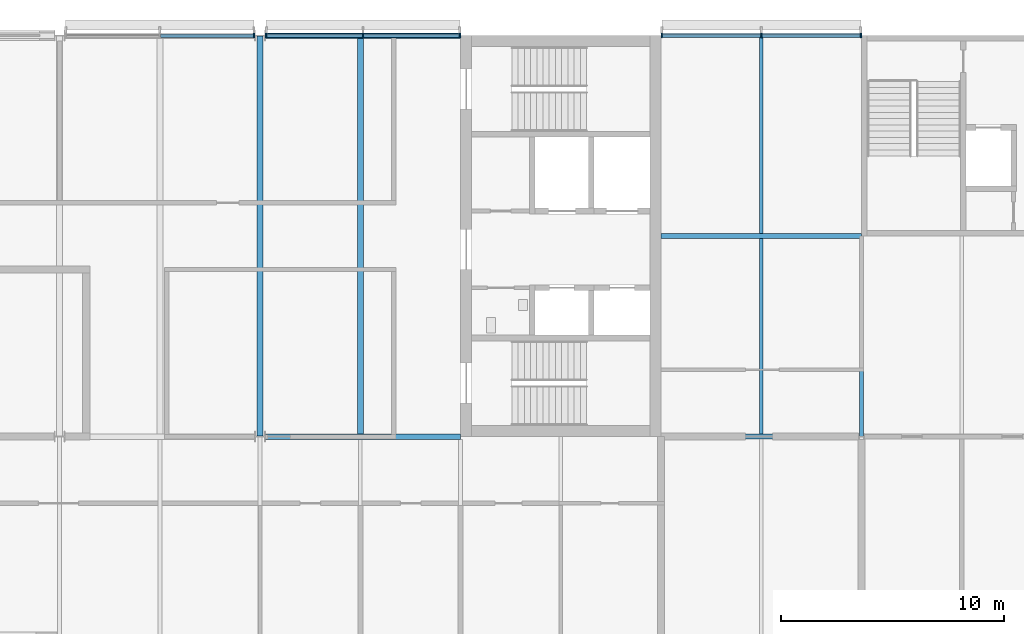
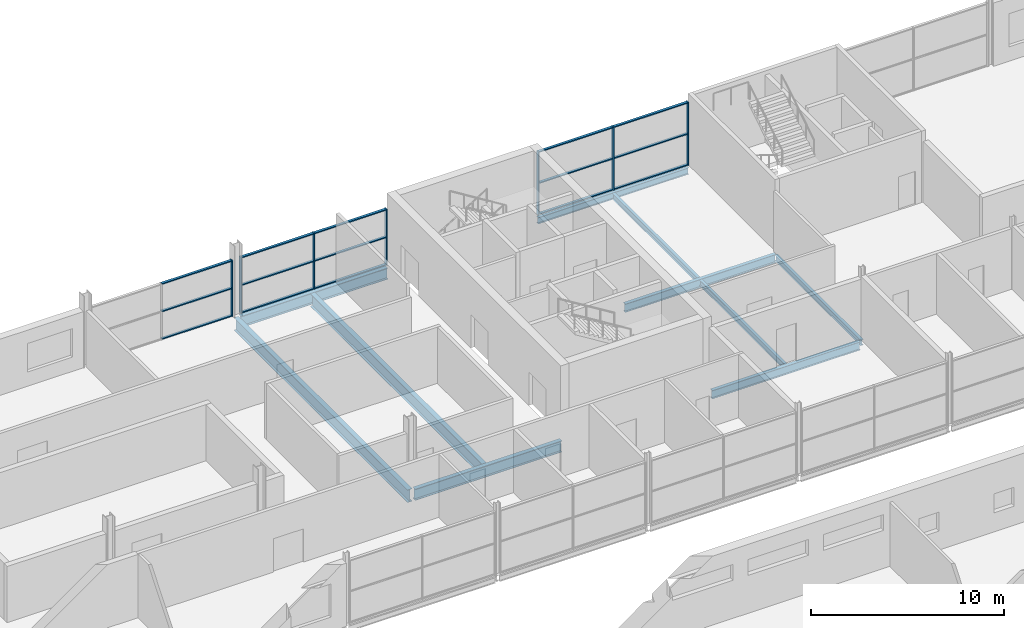
# One storey, part 65 of 138: 22 members, 10 beams, 3 elements without a shape of their own.
"""IFC4 building model written with IfcOpenShell, lengths in metres."""

from ifc_helpers import new_model, si_unit, direction, frame, origin, origin_2d, place, context, subcontext, project, spatial, rectangle, i_section, extrude, material, layer, layer_set, material_profile, profile_set, type_object, element, aggregate, save


model = new_model("IFC4")

# Units and contexts
model_context = context("Model", 3, precision=1e-05, world=origin(), true_north=direction((0.0, 1.0)))
body_context = subcontext(model_context, "Body", "Model", "MODEL_VIEW")
ifc_project = project(units=[si_unit("LENGTHUNIT", "METRE"), si_unit("AREAUNIT", "SQUARE_METRE"), si_unit("VOLUMEUNIT", "CUBIC_METRE"), si_unit("PLANEANGLEUNIT", "RADIAN"), si_unit("MASSUNIT", "GRAM", prefix="KILO")], contexts=[model_context])

# Site, building, storey
site_placement = place(None, origin())
site = spatial("IfcSite", under=ifc_project, at=site_placement, CompositionType="ELEMENT")
building_placement = place(site_placement, origin())
building = spatial("IfcBuilding", under=site, at=building_placement, Name="Corbel Yard City Hall", CompositionType="ELEMENT")
storey_placement = place(building_placement, frame((0.0, 0.0, 10.5)))
storey = spatial("IfcBuildingStorey", under=building, at=storey_placement, Name="L02", CompositionType="ELEMENT", Elevation=10.5)

# Beams
ifc_material_1 = material(Name="Steel Grade 300 (300 MPa yield)", Category="steel")
ifc_material_profile_1 = material_profile(ifc_material_1, i_section(OverallWidth=0.1708984375, OverallDepth=0.35595703125, WebThickness=0.00732421875, FlangeThickness=0.011474609375, at=origin_2d()), Name="360UB50.7")
ifc_profile_set_1 = profile_set([ifc_material_profile_1], Name="Steel Grade 300 (300 MPa yield)")
beam_type_1 = type_object("IfcBeamType", Name="Beam 360UB50.7", PredefinedType="BEAM", material=ifc_profile_set_1)
beam_1_placement = place(storey_placement, frame((63.0, 99.005859375, -0.327880859375), z_axis=(0.0, 1.0, 0.0), x_axis=(-1.0, 0.0, 0.0)))
element("IfcBeam", 1, at=beam_1_placement, inside=storey, type_object=beam_type_1, Name="Beam 360UB50.7 SB14 L02floor", PredefinedType="BEAM", context=body_context, shape_type="SweptSolid", body=[
    extrude(i_section(OverallWidth=0.1708984375, OverallDepth=0.35595703125, WebThickness=0.00732421875, FlangeThickness=0.011474609375, at=origin_2d()), origin(), (0.0, 0.0, 1.0), 8.8896484375),
])
ifc_material_profile_2 = material_profile(ifc_material_1, i_section(OverallWidth=0.177978515625, OverallDepth=0.403076171875, WebThickness=0.007568359375, FlangeThickness=0.010986328125, at=origin_2d()), Name="410UB53.7")
ifc_profile_set_2 = profile_set([ifc_material_profile_2], Name="Steel Grade 300 (300 MPa yield)")
beam_type_2 = type_object("IfcBeamType", Name="Edge beam 410UB53.7", PredefinedType="BEAM", material=ifc_profile_set_2)
beam_2_placement = place(storey_placement, frame((54.0, 117.0, -0.3515625), z_axis=(1.0, 0.0, 0.0), x_axis=(0.0, 1.0, 0.0)))
element("IfcBeam", 2, at=beam_2_placement, inside=storey, type_object=beam_type_2, Name="Edge beam 410UB53.7 EB6 L02floor", PredefinedType="BEAM", context=body_context, shape_type="SweptSolid", body=[
    extrude(i_section(OverallWidth=0.177978515625, OverallDepth=0.403076171875, WebThickness=0.007568359375, FlangeThickness=0.010986328125, at=origin_2d()), origin(), (0.0, 0.0, 1.0), 9.0),
])
ifc_material_2 = material(Name="Steel Grade 350", Category="steel")
ifc_material_profile_3 = material_profile(ifc_material_2, i_section(OverallWidth=0.25, OverallDepth=0.7099609375, WebThickness=0.010009765625, FlangeThickness=0.02490234375, at=origin_2d()), Name="700WB150")
ifc_profile_set_3 = profile_set([ifc_material_profile_3], Name="Steel Grade 350")
beam_type_3 = type_object("IfcBeamType", Name="Edge beam 700WB150", PredefinedType="BEAM", material=ifc_profile_set_3)
beam_3_placement = place(storey_placement, frame((36.239990234375, 117.0, -0.5048828125), z_axis=(1.0, 0.0, 0.0), x_axis=(0.0, 1.0, 0.0)))
element("IfcBeam", 3, at=beam_3_placement, inside=storey, type_object=beam_type_3, Name="Edge beam 700WB150 EB5 L02floor", PredefinedType="BEAM", context=body_context, shape_type="SweptSolid", body=[
    extrude(i_section(OverallWidth=0.25, OverallDepth=0.7099609375, WebThickness=0.010009765625, FlangeThickness=0.02490234375, at=origin_2d()), origin(), (0.0, 0.0, 1.0), 8.760009765625),
])
ifc_material_profile_4 = material_profile(ifc_material_1, i_section(OverallWidth=0.208984375, OverallDepth=0.528076171875, WebThickness=0.009521484375, FlangeThickness=0.01318359375, at=origin_2d()), Name="530UB82.0")
ifc_profile_set_4 = profile_set([ifc_material_profile_4], Name="Steel Grade 300 (300 MPa yield)")
beam_type_4 = type_object("IfcBeamType", Name="Girder 530UB82.0", PredefinedType="BEAM", material=ifc_profile_set_4)
beam_4_placement = place(storey_placement, frame((54.0, 99.0, -0.4140625), z_axis=(1.0, 0.0, 0.0), x_axis=(0.0, 1.0, 0.0)))
element("IfcBeam", 4, at=beam_4_placement, inside=storey, type_object=beam_type_4, Name="Girder 530UB82.0 GB3 L02floor", PredefinedType="BEAM", context=body_context, shape_type="SweptSolid", body=[
    extrude(i_section(OverallWidth=0.208984375, OverallDepth=0.528076171875, WebThickness=0.009521484375, FlangeThickness=0.01318359375, at=origin_2d()), origin(), (0.0, 0.0, 1.0), 8.842529296875),
])
beam_5_placement = place(storey_placement, frame((54.0, 108.0, -0.4140625), z_axis=(1.0, 0.0, 0.0), x_axis=(0.0, 1.0, 0.0)))
element("IfcBeam", 5, at=beam_5_placement, inside=storey, type_object=beam_type_4, Name="Girder 530UB82.0 GB3 L02floor", PredefinedType="BEAM", context=body_context, shape_type="SweptSolid", body=[
    extrude(i_section(OverallWidth=0.208984375, OverallDepth=0.528076171875, WebThickness=0.009521484375, FlangeThickness=0.01318359375, at=origin_2d()), origin(), (0.0, 0.0, 1.0), 9.0),
])
ifc_material_profile_5 = material_profile(ifc_material_2, i_section(OverallWidth=0.25, OverallDepth=0.7099609375, WebThickness=0.010009765625, FlangeThickness=0.02490234375, at=origin_2d()), Name="700WB150")
ifc_profile_set_5 = profile_set([ifc_material_profile_5], Name="Steel Grade 350")
beam_type_5 = type_object("IfcBeamType", Name="Girder 700WB150", PredefinedType="BEAM", material=ifc_profile_set_5)
beam_6_placement = place(storey_placement, frame((36.239990234375, 99.0, -0.5048828125), z_axis=(1.0, 0.0, 0.0), x_axis=(0.0, 1.0, 0.0)))
element("IfcBeam", 6, at=beam_6_placement, inside=storey, type_object=beam_type_5, Name="Girder 700WB150 GB5 L02floor", PredefinedType="BEAM", context=body_context, shape_type="SweptSolid", body=[
    extrude(i_section(OverallWidth=0.25, OverallDepth=0.7099609375, WebThickness=0.010009765625, FlangeThickness=0.02490234375, at=origin_2d()), origin(), (0.0, 0.0, 1.0), 8.760009765625),
])
ifc_material_profile_6 = material_profile(ifc_material_2, i_section(OverallWidth=0.27490234375, OverallDepth=0.800048828125, WebThickness=0.010009765625, FlangeThickness=0.02001953125, at=origin_2d()), Name="800WB146")
ifc_profile_set_6 = profile_set([ifc_material_profile_6], Name="Steel Grade 350")
beam_type_6 = type_object("IfcBeamType", Name="Long-span beam 800WB146", PredefinedType="BEAM", material=ifc_profile_set_6)
beam_7_placement = place(storey_placement, frame((36.0, 99.02001953125, -0.550048828125), z_axis=(0.0, 1.0, 0.0), x_axis=(-1.0, 0.0, 0.0)))
element("IfcBeam", 7, at=beam_7_placement, inside=storey, type_object=beam_type_6, Name="Long-span beam 800WB146 SB8 L02floor", PredefinedType="BEAM", context=body_context, shape_type="SweptSolid", body=[
    extrude(i_section(OverallWidth=0.27490234375, OverallDepth=0.800048828125, WebThickness=0.010009765625, FlangeThickness=0.02001953125, at=origin_2d()), origin(), (0.0, 0.0, 1.0), 17.9599609375),
])
ifc_material_profile_7 = material_profile(ifc_material_2, i_section(OverallWidth=0.27490234375, OverallDepth=0.800048828125, WebThickness=0.010009765625, FlangeThickness=0.02001953125, at=origin_2d()), Name="800WB146")
ifc_profile_set_7 = profile_set([ifc_material_profile_7], Name="Steel Grade 350")
beam_type_7 = type_object("IfcBeamType", Name="Long-span secondary beam 800WB146", PredefinedType="JOIST", material=ifc_profile_set_7)
beam_8_placement = place(storey_placement, frame((40.5, 99.125, -0.550048828125), z_axis=(0.0, 1.0, 0.0), x_axis=(-1.0, 0.0, 0.0)))
element("IfcBeam", 8, at=beam_8_placement, inside=storey, type_object=beam_type_7, Name="Long-span secondary beam 800WB146 SB7 L02floor", PredefinedType="JOIST", context=body_context, shape_type="SweptSolid", body=[
    extrude(i_section(OverallWidth=0.27490234375, OverallDepth=0.800048828125, WebThickness=0.010009765625, FlangeThickness=0.02001953125, at=origin_2d()), origin(), (0.0, 0.0, 1.0), 17.75),
])

# Curtain wall, member
ifc_material_3 = material(Name="Aluminium extrusion", Category="aluminium")
ifc_layer = layer(ifc_material_3, 0.199951171875)
ifc_layer_set = layer_set([ifc_layer], Name="Aluminium extrusion")
curtain_wall_type = type_object("IfcCurtainWallType", Name="CW1", PredefinedType="USERDEFINED", material=ifc_layer_set)
curtain_wall_1_placement = place(storey_placement, origin())
curtain_wall_1 = element("IfcCurtainWall", 9, at=curtain_wall_1_placement, inside=storey, type_object=curtain_wall_type, Name="Curtain wall CW1 L02", ObjectType="CURTAIN WALL", PredefinedType="USERDEFINED")
ifc_material_profile_8 = material_profile(ifc_material_3, rectangle(XDim=0.199951171875, YDim=0.06494140625, at=origin_2d()), Name="200x65")
ifc_profile_set_8 = profile_set([ifc_material_profile_8], Name="Aluminium extrusion")
member_type_1 = type_object("IfcMemberType", Name="ML1", PredefinedType="MULLION", material=ifc_profile_set_8)
member_1_placement = place(storey_placement, frame((35.7275390625, 117.0, 0.0), z_axis=(0.0, 0.0, 1.0), x_axis=(0.0, 1.0, 0.0)))
member_1 = element("IfcMember", 10, at=member_1_placement, type_object=member_type_1, Name="CW1 mullion 3", PredefinedType="MULLION", context=body_context, shape_type="SweptSolid", body=[
    extrude(rectangle(XDim=0.199951171875, YDim=0.06494140625, at=origin_2d()), origin(), (0.0, 0.0, 1.0), 3.5400390625),
])

# Curtain wall, members
curtain_wall_2_placement = place(storey_placement, origin())
curtain_wall_2 = element("IfcCurtainWall", 11, at=curtain_wall_2_placement, inside=storey, type_object=curtain_wall_type, Name="Curtain wall CW1 L02", ObjectType="CURTAIN WALL", PredefinedType="USERDEFINED")
member_2_placement = place(storey_placement, frame((36.2724609375, 117.0, 0.0), z_axis=(0.0, 0.0, 1.0), x_axis=(0.0, 1.0, 0.0)))
member_2 = element("IfcMember", 12, at=member_2_placement, type_object=member_type_1, Name="CW1 mullion 1", PredefinedType="MULLION", context=body_context, shape_type="SweptSolid", body=[
    extrude(rectangle(XDim=0.199951171875, YDim=0.06494140625, at=origin_2d()), origin(), (0.0, 0.0, 1.0), 3.5400390625),
])
member_3_placement = place(storey_placement, frame((40.6201171875, 117.0, 0.0), z_axis=(0.0, 0.0, 1.0), x_axis=(0.0, 1.0, 0.0)))
member_3 = element("IfcMember", 13, at=member_3_placement, type_object=member_type_1, Name="CW1 mullion 2", PredefinedType="MULLION", context=body_context, shape_type="SweptSolid", body=[
    extrude(rectangle(XDim=0.199951171875, YDim=0.06494140625, at=origin_2d()), origin(), (0.0, 0.0, 1.0), 3.5400390625),
])
member_4_placement = place(storey_placement, frame((44.967529296875, 117.0, 0.0), z_axis=(0.0, 0.0, 1.0), x_axis=(0.0, 1.0, 0.0)))
member_4 = element("IfcMember", 14, at=member_4_placement, type_object=member_type_1, Name="CW1 mullion 3", PredefinedType="MULLION", context=body_context, shape_type="SweptSolid", body=[
    extrude(rectangle(XDim=0.199951171875, YDim=0.06494140625, at=origin_2d()), origin(), (0.0, 0.0, 1.0), 3.5400390625),
])

curtain_wall_3_placement = place(storey_placement, origin())
curtain_wall_3 = element("IfcCurtainWall", 15, at=curtain_wall_3_placement, inside=storey, type_object=curtain_wall_type, Name="Curtain wall CW1 L02", ObjectType="CURTAIN WALL", PredefinedType="USERDEFINED")
member_5_placement = place(storey_placement, frame((54.032470703125, 117.0, 0.0), z_axis=(0.0, 0.0, 1.0), x_axis=(0.0, 1.0, 0.0)))
member_5 = element("IfcMember", 16, at=member_5_placement, type_object=member_type_1, Name="CW1 mullion 1", PredefinedType="MULLION", context=body_context, shape_type="SweptSolid", body=[
    extrude(rectangle(XDim=0.199951171875, YDim=0.06494140625, at=origin_2d()), origin(), (0.0, 0.0, 1.0), 3.990966796875),
])
member_6_placement = place(storey_placement, frame((58.5, 117.0, 0.0), z_axis=(0.0, 0.0, 1.0), x_axis=(0.0, 1.0, 0.0)))
member_6 = element("IfcMember", 17, at=member_6_placement, type_object=member_type_1, Name="CW1 mullion 2", PredefinedType="MULLION", context=body_context, shape_type="SweptSolid", body=[
    extrude(rectangle(XDim=0.199951171875, YDim=0.06494140625, at=origin_2d()), origin(), (0.0, 0.0, 1.0), 3.990966796875),
])
member_7_placement = place(storey_placement, frame((62.967529296875, 117.0, 0.0), z_axis=(0.0, 0.0, 1.0), x_axis=(0.0, 1.0, 0.0)))
member_7 = element("IfcMember", 18, at=member_7_placement, type_object=member_type_1, Name="CW1 mullion 3", PredefinedType="MULLION", context=body_context, shape_type="SweptSolid", body=[
    extrude(rectangle(XDim=0.199951171875, YDim=0.06494140625, at=origin_2d()), origin(), (0.0, 0.0, 1.0), 3.990966796875),
])

# Beams
ifc_material_profile_9 = material_profile(ifc_material_1, i_section(OverallWidth=0.1708984375, OverallDepth=0.35205078125, WebThickness=0.0068359375, FlangeThickness=0.009765625, at=origin_2d()), Name="360UB44.7")
ifc_profile_set_9 = profile_set([ifc_material_profile_9], Name="Steel Grade 300 (300 MPa yield)")
beam_type_8 = type_object("IfcBeamType", Name="Secondary beam 360UB44.7", PredefinedType="JOIST", material=ifc_profile_set_9)
beam_9_placement = place(storey_placement, frame((58.5, 99.1044921875, -0.325927734375), z_axis=(0.0, 1.0, 0.0), x_axis=(-1.0, 0.0, 0.0)))
element("IfcBeam", 19, at=beam_9_placement, inside=storey, type_object=beam_type_8, Name="Secondary beam 360UB44.7 SB11 L02floor", PredefinedType="JOIST", context=body_context, shape_type="SweptSolid", body=[
    extrude(i_section(OverallWidth=0.1708984375, OverallDepth=0.35205078125, WebThickness=0.0068359375, FlangeThickness=0.009765625, at=origin_2d()), origin(), (0.0, 0.0, 1.0), 8.791015625),
])
ifc_material_profile_10 = material_profile(ifc_material_1, i_section(OverallWidth=0.1708984375, OverallDepth=0.35595703125, WebThickness=0.00732421875, FlangeThickness=0.011474609375, at=origin_2d()), Name="360UB50.7")
ifc_profile_set_10 = profile_set([ifc_material_profile_10], Name="Steel Grade 300 (300 MPa yield)")
beam_type_9 = type_object("IfcBeamType", Name="Secondary beam 360UB50.7", PredefinedType="JOIST", material=ifc_profile_set_10)
beam_10_placement = place(storey_placement, frame((58.5, 108.1044921875, -0.327880859375), z_axis=(0.0, 1.0, 0.0), x_axis=(-1.0, 0.0, 0.0)))
element("IfcBeam", 20, at=beam_10_placement, inside=storey, type_object=beam_type_9, Name="Secondary beam 360UB50.7 SB10 L02floor", PredefinedType="JOIST", context=body_context, shape_type="SweptSolid", body=[
    extrude(i_section(OverallWidth=0.1708984375, OverallDepth=0.35595703125, WebThickness=0.00732421875, FlangeThickness=0.011474609375, at=origin_2d()), origin(), (0.0, 0.0, 1.0), 8.806396484375),
])

# Member
ifc_material_profile_11 = material_profile(ifc_material_3, rectangle(XDim=0.14990234375, YDim=0.06494140625, at=origin_2d()), Name="150x65")
ifc_profile_set_11 = profile_set([ifc_material_profile_11], Name="Aluminium extrusion")
member_type_2 = type_object("IfcMemberType", Name="TR1", PredefinedType="USERDEFINED", material=ifc_profile_set_11)
member_8_placement = place(storey_placement, frame((31.532470703125, 117.0, 0.032470703125), z_axis=(1.0, 0.0, 0.0), x_axis=(0.0, 1.0, 0.0)))
member_8 = element("IfcMember", 21, at=member_8_placement, type_object=member_type_2, Name="CW1 transom 2.1", ObjectType="TRANSOM", PredefinedType="USERDEFINED", context=body_context, shape_type="SweptSolid", body=[
    extrude(rectangle(XDim=0.14990234375, YDim=0.06494140625, at=origin_2d()), origin(), (0.0, 0.0, 1.0), 4.16259765625),
])

member_9_placement = place(storey_placement, frame((31.532470703125, 117.0, 1.77001953125), z_axis=(1.0, 0.0, 0.0), x_axis=(0.0, 1.0, 0.0)))
member_9 = element("IfcMember", 22, at=member_9_placement, type_object=member_type_2, Name="CW1 transom 2.2", ObjectType="TRANSOM", PredefinedType="USERDEFINED", context=body_context, shape_type="SweptSolid", body=[
    extrude(rectangle(XDim=0.14990234375, YDim=0.06494140625, at=origin_2d()), origin(), (0.0, 0.0, 1.0), 4.16259765625),
])

member_10_placement = place(storey_placement, frame((31.532470703125, 117.0, 3.507568359375), z_axis=(1.0, 0.0, 0.0), x_axis=(0.0, 1.0, 0.0)))
member_10 = element("IfcMember", 23, at=member_10_placement, type_object=member_type_2, Name="CW1 transom 2.3", ObjectType="TRANSOM", PredefinedType="USERDEFINED", context=body_context, shape_type="SweptSolid", body=[
    extrude(rectangle(XDim=0.14990234375, YDim=0.06494140625, at=origin_2d()), origin(), (0.0, 0.0, 1.0), 4.16259765625),
])

aggregate(curtain_wall_1, [member_1, member_8, member_9, member_10])

member_11_placement = place(storey_placement, frame((36.304931640625, 117.0, 0.032470703125), z_axis=(1.0, 0.0, 0.0), x_axis=(0.0, 1.0, 0.0)))
member_11 = element("IfcMember", 24, at=member_11_placement, type_object=member_type_2, Name="CW1 transom 1.1", ObjectType="TRANSOM", PredefinedType="USERDEFINED", context=body_context, shape_type="SweptSolid", body=[
    extrude(rectangle(XDim=0.14990234375, YDim=0.06494140625, at=origin_2d()), origin(), (0.0, 0.0, 1.0), 4.282470703125),
])

member_12_placement = place(storey_placement, frame((36.304931640625, 117.0, 1.77001953125), z_axis=(1.0, 0.0, 0.0), x_axis=(0.0, 1.0, 0.0)))
member_12 = element("IfcMember", 25, at=member_12_placement, type_object=member_type_2, Name="CW1 transom 1.2", ObjectType="TRANSOM", PredefinedType="USERDEFINED", context=body_context, shape_type="SweptSolid", body=[
    extrude(rectangle(XDim=0.14990234375, YDim=0.06494140625, at=origin_2d()), origin(), (0.0, 0.0, 1.0), 4.282470703125),
])

member_13_placement = place(storey_placement, frame((36.304931640625, 117.0, 3.507568359375), z_axis=(1.0, 0.0, 0.0), x_axis=(0.0, 1.0, 0.0)))
member_13 = element("IfcMember", 26, at=member_13_placement, type_object=member_type_2, Name="CW1 transom 1.3", ObjectType="TRANSOM", PredefinedType="USERDEFINED", context=body_context, shape_type="SweptSolid", body=[
    extrude(rectangle(XDim=0.14990234375, YDim=0.06494140625, at=origin_2d()), origin(), (0.0, 0.0, 1.0), 4.282470703125),
])

member_14_placement = place(storey_placement, frame((40.652587890625, 117.0, 0.032470703125), z_axis=(1.0, 0.0, 0.0), x_axis=(0.0, 1.0, 0.0)))
member_14 = element("IfcMember", 27, at=member_14_placement, type_object=member_type_2, Name="CW1 transom 2.1", ObjectType="TRANSOM", PredefinedType="USERDEFINED", context=body_context, shape_type="SweptSolid", body=[
    extrude(rectangle(XDim=0.14990234375, YDim=0.06494140625, at=origin_2d()), origin(), (0.0, 0.0, 1.0), 4.282470703125),
])

member_15_placement = place(storey_placement, frame((40.652587890625, 117.0, 1.77001953125), z_axis=(1.0, 0.0, 0.0), x_axis=(0.0, 1.0, 0.0)))
member_15 = element("IfcMember", 28, at=member_15_placement, type_object=member_type_2, Name="CW1 transom 2.2", ObjectType="TRANSOM", PredefinedType="USERDEFINED", context=body_context, shape_type="SweptSolid", body=[
    extrude(rectangle(XDim=0.14990234375, YDim=0.06494140625, at=origin_2d()), origin(), (0.0, 0.0, 1.0), 4.282470703125),
])

member_16_placement = place(storey_placement, frame((40.652587890625, 117.0, 3.507568359375), z_axis=(1.0, 0.0, 0.0), x_axis=(0.0, 1.0, 0.0)))
member_16 = element("IfcMember", 29, at=member_16_placement, type_object=member_type_2, Name="CW1 transom 2.3", ObjectType="TRANSOM", PredefinedType="USERDEFINED", context=body_context, shape_type="SweptSolid", body=[
    extrude(rectangle(XDim=0.14990234375, YDim=0.06494140625, at=origin_2d()), origin(), (0.0, 0.0, 1.0), 4.282470703125),
])

aggregate(curtain_wall_2, [member_2, member_3, member_4, member_11, member_12, member_13, member_14, member_15, member_16])

member_17_placement = place(storey_placement, frame((54.06494140625, 117.0, 0.032470703125), z_axis=(1.0, 0.0, 0.0), x_axis=(0.0, 1.0, 0.0)))
member_17 = element("IfcMember", 30, at=member_17_placement, type_object=member_type_2, Name="CW1 transom 1.1", ObjectType="TRANSOM", PredefinedType="USERDEFINED", context=body_context, shape_type="SweptSolid", body=[
    extrude(rectangle(XDim=0.14990234375, YDim=0.06494140625, at=origin_2d()), origin(), (0.0, 0.0, 1.0), 4.402587890625),
])

member_18_placement = place(storey_placement, frame((54.06494140625, 117.0, 1.99560546875), z_axis=(1.0, 0.0, 0.0), x_axis=(0.0, 1.0, 0.0)))
member_18 = element("IfcMember", 31, at=member_18_placement, type_object=member_type_2, Name="CW1 transom 1.2", ObjectType="TRANSOM", PredefinedType="USERDEFINED", context=body_context, shape_type="SweptSolid", body=[
    extrude(rectangle(XDim=0.14990234375, YDim=0.06494140625, at=origin_2d()), origin(), (0.0, 0.0, 1.0), 4.402587890625),
])

member_19_placement = place(storey_placement, frame((54.06494140625, 117.0, 3.95849609375), z_axis=(1.0, 0.0, 0.0), x_axis=(0.0, 1.0, 0.0)))
member_19 = element("IfcMember", 32, at=member_19_placement, type_object=member_type_2, Name="CW1 transom 1.3", ObjectType="TRANSOM", PredefinedType="USERDEFINED", context=body_context, shape_type="SweptSolid", body=[
    extrude(rectangle(XDim=0.14990234375, YDim=0.06494140625, at=origin_2d()), origin(), (0.0, 0.0, 1.0), 4.402587890625),
])

member_20_placement = place(storey_placement, frame((58.532470703125, 117.0, 0.032470703125), z_axis=(1.0, 0.0, 0.0), x_axis=(0.0, 1.0, 0.0)))
member_20 = element("IfcMember", 33, at=member_20_placement, type_object=member_type_2, Name="CW1 transom 2.1", ObjectType="TRANSOM", PredefinedType="USERDEFINED", context=body_context, shape_type="SweptSolid", body=[
    extrude(rectangle(XDim=0.14990234375, YDim=0.06494140625, at=origin_2d()), origin(), (0.0, 0.0, 1.0), 4.402587890625),
])

member_21_placement = place(storey_placement, frame((58.532470703125, 117.0, 1.99560546875), z_axis=(1.0, 0.0, 0.0), x_axis=(0.0, 1.0, 0.0)))
member_21 = element("IfcMember", 34, at=member_21_placement, type_object=member_type_2, Name="CW1 transom 2.2", ObjectType="TRANSOM", PredefinedType="USERDEFINED", context=body_context, shape_type="SweptSolid", body=[
    extrude(rectangle(XDim=0.14990234375, YDim=0.06494140625, at=origin_2d()), origin(), (0.0, 0.0, 1.0), 4.402587890625),
])

member_22_placement = place(storey_placement, frame((58.532470703125, 117.0, 3.95849609375), z_axis=(1.0, 0.0, 0.0), x_axis=(0.0, 1.0, 0.0)))
member_22 = element("IfcMember", 35, at=member_22_placement, type_object=member_type_2, Name="CW1 transom 2.3", ObjectType="TRANSOM", PredefinedType="USERDEFINED", context=body_context, shape_type="SweptSolid", body=[
    extrude(rectangle(XDim=0.14990234375, YDim=0.06494140625, at=origin_2d()), origin(), (0.0, 0.0, 1.0), 4.402587890625),
])

aggregate(curtain_wall_3, [member_5, member_6, member_7, member_17, member_18, member_19, member_20, member_21, member_22])

save(model, "model.ifc")
